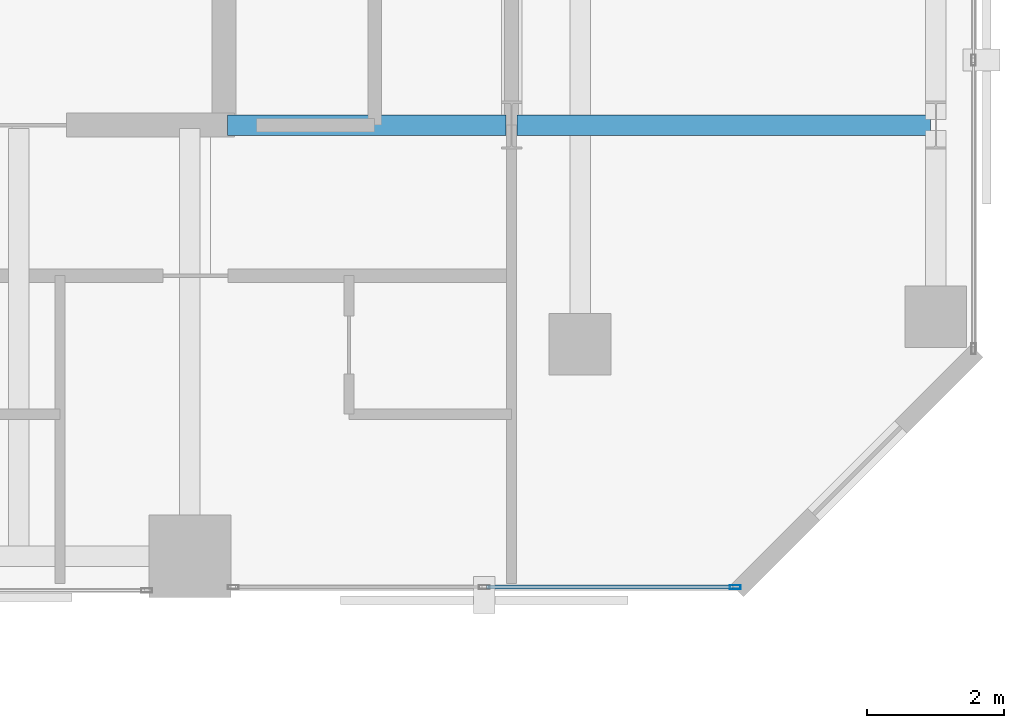
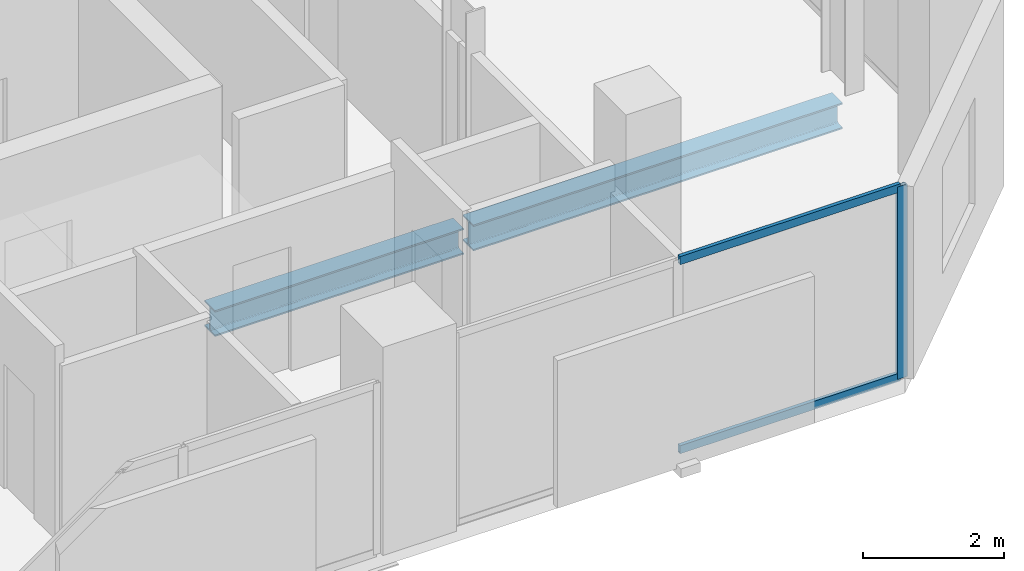
# One storey, part 15 of 34: 3 members, 2 beams, 1 element without a shape of its own.
"""IFC4 building model written with IfcOpenShell, lengths in metres."""

from ifc_helpers import new_model, si_unit, direction, frame, origin, origin_2d, place, context, subcontext, project, spatial, hollow_rectangle, i_section, extrude, material, layer, layer_set, material_profile, profile_set, type_object, element, aggregate, save


model = new_model("IFC4")

# Units and contexts
model_context = context("Model", 3, precision=1e-05, world=origin(), true_north=direction((0.0, 1.0)))
body_context = subcontext(model_context, "Body", "Model", "MODEL_VIEW")
ifc_project = project(units=[si_unit("LENGTHUNIT", "METRE"), si_unit("AREAUNIT", "SQUARE_METRE"), si_unit("VOLUMEUNIT", "CUBIC_METRE"), si_unit("PLANEANGLEUNIT", "RADIAN"), si_unit("MASSUNIT", "GRAM", prefix="KILO")], contexts=[model_context])

# Site, building, storey
site_placement = place(None, origin())
site = spatial("IfcSite", under=ifc_project, at=site_placement, CompositionType="ELEMENT")
building_placement = place(site_placement, origin())
building = spatial("IfcBuilding", under=site, at=building_placement, Name="Catumbela Crestline Tower", CompositionType="ELEMENT")
storey_placement = place(building_placement, frame((0.0, 0.0, 111.6)))
storey = spatial("IfcBuildingStorey", under=building, at=storey_placement, Name="L28", CompositionType="ELEMENT", Elevation=111.6)

# Beams
ifc_material_1 = material(Name="Structural steel S355J2", Category="steel")
ifc_material_profile_1 = material_profile(ifc_material_1, i_section(OverallWidth=0.3, OverallDepth=0.45, WebThickness=0.014, FlangeThickness=0.026, FilletRadius=0.027, at=origin_2d()), Name="HEB 450")
ifc_profile_set_1 = profile_set([ifc_material_profile_1], Name="Structural steel S355J2")
beam_type = type_object("IfcBeamType", Name="BG-HEB450", PredefinedType="BEAM", material=ifc_profile_set_1)
beam_1_placement = place(storey_placement, frame((40.05, 30.8, -0.485), z_axis=(1.0, 0.0, 0.0), x_axis=(0.0, 1.0, 0.0)))
element("IfcBeam", 1, at=beam_1_placement, inside=storey, type_object=beam_type, Name="L28 Beam BM-L28-M10", PredefinedType="BEAM", context=body_context, shape_type="SweptSolid", body=[
    extrude(i_section(OverallWidth=0.3, OverallDepth=0.45, WebThickness=0.014, FlangeThickness=0.026, FilletRadius=0.027, at=origin_2d()), origin(), (0.0, 0.0, 1.0), 4.07),
])
beam_2_placement = place(storey_placement, frame((44.28, 30.8, -0.485), z_axis=(1.0, 0.0, 0.0), x_axis=(0.0, 1.0, 0.0)))
element("IfcBeam", 2, at=beam_2_placement, inside=storey, type_object=beam_type, Name="L28 Beam BM-L28-M11", PredefinedType="BEAM", context=body_context, shape_type="SweptSolid", body=[
    extrude(i_section(OverallWidth=0.3, OverallDepth=0.45, WebThickness=0.014, FlangeThickness=0.026, FilletRadius=0.027, at=origin_2d()), origin(), (0.0, 0.0, 1.0), 6.04),
])

# Curtain wall, members
ifc_material_2 = material(Name="Aluminium alloy AW-6060-T66", Category="aluminium")
ifc_layer = layer(ifc_material_2, 0.18, Name="Aluminium alloy AW-6060-T66")
ifc_layer_set = layer_set([ifc_layer], Name="Aluminium alloy AW-6060-T66")
curtain_wall_type = type_object("IfcCurtainWallType", Name="CWU-Z2", PredefinedType="USERDEFINED", material=ifc_layer_set)
curtain_wall_placement = place(storey_placement, origin())
curtain_wall = element("IfcCurtainWall", 3, at=curtain_wall_placement, inside=storey, type_object=curtain_wall_type, Name="L28 Unitised Curtain Wall CW-L28-E3S3", ObjectType="UNITISED", PredefinedType="USERDEFINED")
ifc_material_profile_2 = material_profile(ifc_material_2, hollow_rectangle(XDim=0.06, YDim=0.16, WallThickness=0.004, at=origin_2d()), Name="ALU 160x60x4")
ifc_profile_set_2 = profile_set([ifc_material_profile_2], Name="Aluminium alloy AW-6060-T66")
member_type_1 = type_object("IfcMemberType", Name="MUL-160X60", PredefinedType="MULLION", material=ifc_profile_set_2)
member_1_placement = place(storey_placement, frame((47.4675, 24.05, 0.0), z_axis=(0.0, 0.0, 1.0), x_axis=(0.0, 1.0, 0.0)))
member_1 = element("IfcMember", 4, at=member_1_placement, type_object=member_type_1, Name="CWU-Z2 mullion 3", PredefinedType="MULLION", context=body_context, shape_type="SweptSolid", body=[
    extrude(hollow_rectangle(XDim=0.06, YDim=0.16, WallThickness=0.004, at=origin_2d()), origin(), (0.0, 0.0, 1.0), 3.33),
])
ifc_material_profile_3 = material_profile(ifc_material_2, hollow_rectangle(XDim=0.06, YDim=0.14, WallThickness=0.004, at=origin_2d()), Name="ALU 140x60x4")
ifc_profile_set_3 = profile_set([ifc_material_profile_3], Name="Aluminium alloy AW-6060-T66")
member_type_2 = type_object("IfcMemberType", Name="TRN-140X60", PredefinedType="USERDEFINED", material=ifc_profile_set_3)
member_2_placement = place(storey_placement, frame((43.8325, 24.05, 0.03), z_axis=(1.0, 0.0, 0.0), x_axis=(0.0, 1.0, 0.0)))
member_2 = element("IfcMember", 5, at=member_2_placement, type_object=member_type_2, Name="CWU-Z2 transom 2.1", ObjectType="TRANSOM", PredefinedType="USERDEFINED", context=body_context, shape_type="SweptSolid", body=[
    extrude(hollow_rectangle(XDim=0.06, YDim=0.14, WallThickness=0.004, at=origin_2d()), origin(), (0.0, 0.0, 1.0), 3.6025),
])
member_3_placement = place(storey_placement, frame((43.8325, 24.05, 3.3), z_axis=(1.0, 0.0, 0.0), x_axis=(0.0, 1.0, 0.0)))
member_3 = element("IfcMember", 6, at=member_3_placement, type_object=member_type_2, Name="CWU-Z2 transom 2.2", ObjectType="TRANSOM", PredefinedType="USERDEFINED", context=body_context, shape_type="SweptSolid", body=[
    extrude(hollow_rectangle(XDim=0.06, YDim=0.14, WallThickness=0.004, at=origin_2d()), origin(), (0.0, 0.0, 1.0), 3.6025),
])
aggregate(curtain_wall, [member_1, member_2, member_3])

save(model, "model.ifc")
